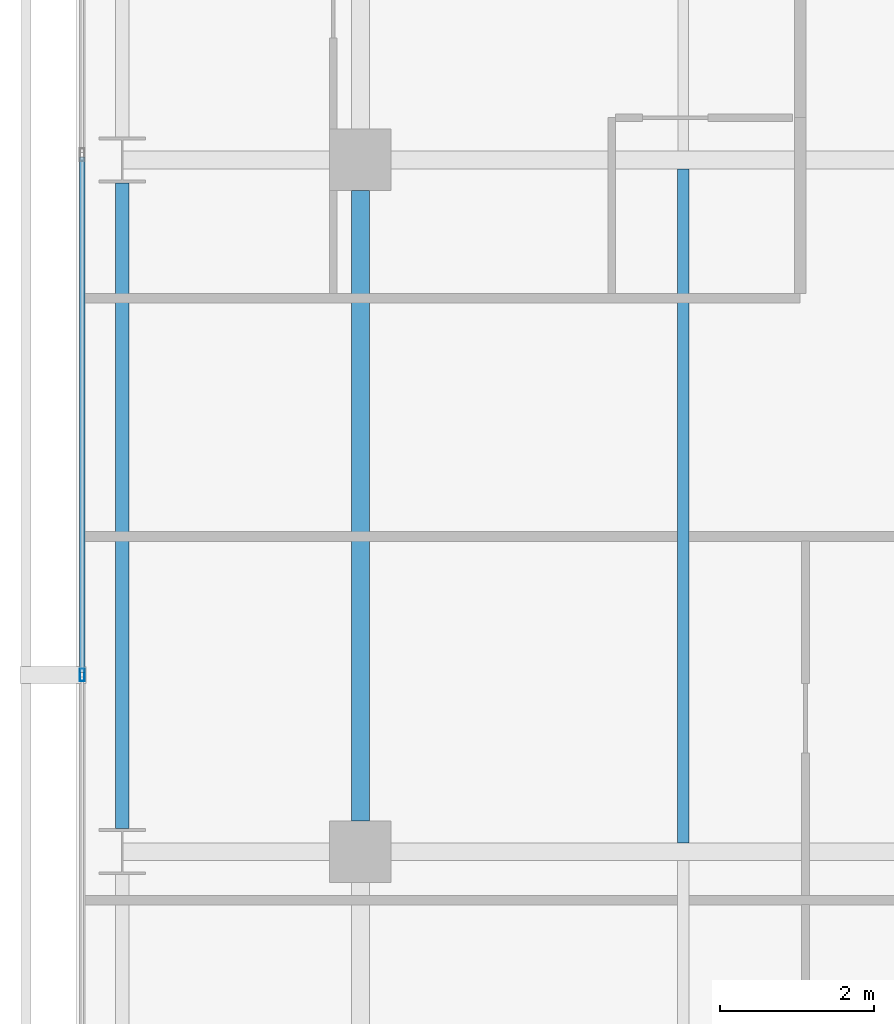
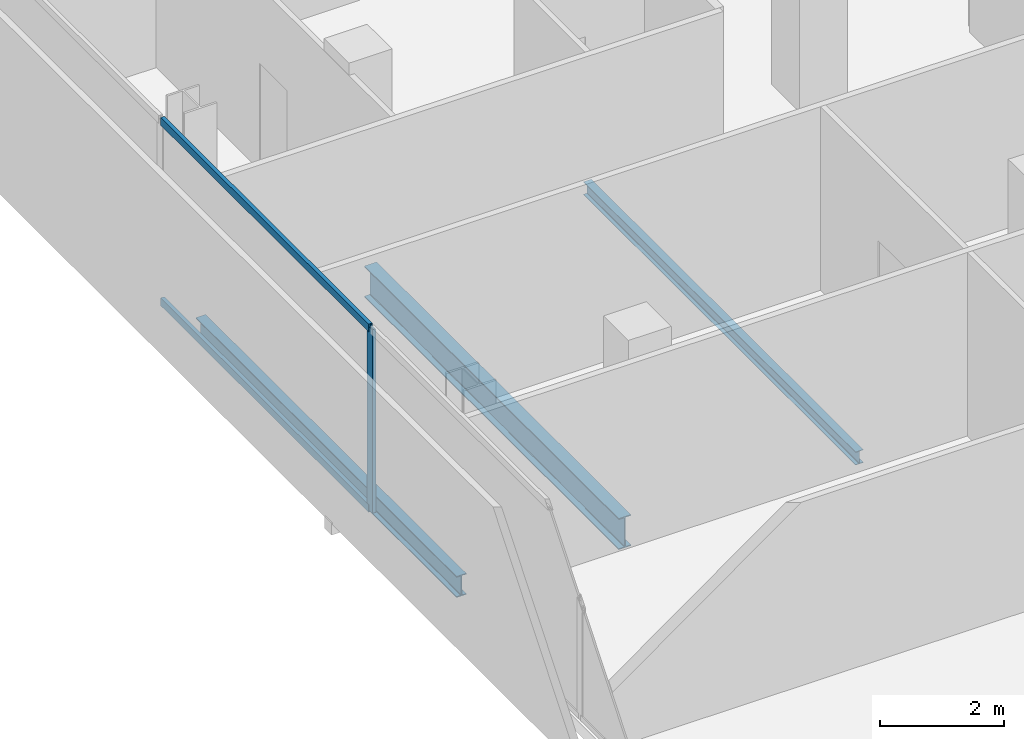
# One storey, part 10 of 33: 3 beams, 3 members, 1 element without a shape of its own.
"""IFC4 building model written with IfcOpenShell, lengths in metres."""

from ifc_helpers import new_model, si_unit, direction, frame, origin, origin_2d, place, context, subcontext, project, spatial, hollow_rectangle, i_section, extrude, material, layer, layer_set, material_profile, profile_set, type_object, element, aggregate, save


model = new_model("IFC4")

# Units and contexts
model_context = context("Model", 3, precision=1e-05, world=origin(), true_north=direction((0.0, 1.0)))
body_context = subcontext(model_context, "Body", "Model", "MODEL_VIEW")
ifc_project = project(units=[si_unit("LENGTHUNIT", "METRE"), si_unit("AREAUNIT", "SQUARE_METRE"), si_unit("VOLUMEUNIT", "CUBIC_METRE"), si_unit("PLANEANGLEUNIT", "RADIAN"), si_unit("MASSUNIT", "GRAM", prefix="KILO")], contexts=[model_context])

# Site, building, storey
site_placement = place(None, origin())
site = spatial("IfcSite", under=ifc_project, at=site_placement, CompositionType="ELEMENT")
building_placement = place(site_placement, origin())
building = spatial("IfcBuilding", under=site, at=building_placement, Name="Maruvema Waterfront Hotel and Observation Tower", CompositionType="ELEMENT")
storey_placement = place(building_placement, frame((0.0, 0.0, 142.800048828125)))
storey = spatial("IfcBuildingStorey", under=building, at=storey_placement, Name="L34", CompositionType="ELEMENT", Elevation=142.800048828125)

# Curtain wall, members
ifc_material_1 = material(Name="Anodised bronze aluminium and solar-control low-E IGU", Category="aluminium")
ifc_layer = layer(ifc_material_1, 0.159912109375, Name="Zone 2 Amber Inner Thermal Curtain Wall System CW-03")
ifc_layer_set = layer_set([ifc_layer], Name="Anodised bronze aluminium and solar-control low-E IGU")
curtain_wall_type = type_object("IfcCurtainWallType", Name="Zone 2 Amber Inner Thermal Curtain Wall System CW-03", PredefinedType="USERDEFINED", material=ifc_layer_set)
curtain_wall_placement = place(storey_placement, origin())
curtain_wall = element("IfcCurtainWall", 1, at=curtain_wall_placement, inside=storey, type_object=curtain_wall_type, Name="L34 Curtain Wall CW-L34-W", ObjectType="UNITISED CURTAIN WALL", PredefinedType="USERDEFINED")
ifc_material_2 = material(Name="Anodised architectural bronze aluminium", Category="aluminium")
ifc_material_profile_1 = material_profile(ifc_material_2, hollow_rectangle(XDim=0.070068359375, YDim=0.14990234375, WallThickness=0.00390625, at=origin_2d()), Name="ALU-T70x150")
ifc_profile_set_1 = profile_set([ifc_material_profile_1], Name="Anodised architectural bronze aluminium")
member_type_1 = type_object("IfcMemberType", Name="Curtain Wall Horizontal Transom ALU-T70x150", PredefinedType="USERDEFINED", material=ifc_profile_set_1)
member_1_placement = place(storey_placement, frame((13.179931640625, 36.03662109375, 0.030029296875), z_axis=(0.0, -1.0, 0.0), x_axis=(1.0, 0.0, 0.0)))
member_1 = element("IfcMember", 2, at=member_1_placement, type_object=member_type_1, Name="CW-03 transom 3.1", ObjectType="TRANSOM", PredefinedType="USERDEFINED", context=body_context, shape_type="SweptSolid", body=[
    extrude(hollow_rectangle(XDim=0.070068359375, YDim=0.14990234375, WallThickness=0.00390625, at=origin_2d()), origin(), (0.0, 0.0, 1.0), 6.70654296875),
])
member_2_placement = place(storey_placement, frame((13.179931640625, 36.03662109375, 3.579833984375), z_axis=(0.0, -1.0, 0.0), x_axis=(1.0, 0.0, 0.0)))
member_2 = element("IfcMember", 3, at=member_2_placement, type_object=member_type_1, Name="CW-03 transom 3.2", ObjectType="TRANSOM", PredefinedType="USERDEFINED", context=body_context, shape_type="SweptSolid", body=[
    extrude(hollow_rectangle(XDim=0.070068359375, YDim=0.14990234375, WallThickness=0.00390625, at=origin_2d()), origin(), (0.0, 0.0, 1.0), 6.70654296875),
])
ifc_material_3 = material(Name="Anodised architectural bronze aluminium", Category="aluminium")
ifc_material_profile_2 = material_profile(ifc_material_3, hollow_rectangle(XDim=0.06494140625, YDim=0.1650390625, WallThickness=0.00390625, at=origin_2d()), Name="ALU-M65x165")
ifc_profile_set_2 = profile_set([ifc_material_profile_2], Name="Anodised architectural bronze aluminium")
member_type_2 = type_object("IfcMemberType", Name="Curtain Wall Primary Mullion ALU-M65x165", PredefinedType="MULLION", material=ifc_profile_set_2)
member_3_placement = place(storey_placement, frame((13.179931640625, 29.300048828125, 0.0), z_axis=(0.0, 0.0, 1.0), x_axis=(1.0, 0.0, 0.0)))
member_3 = element("IfcMember", 4, at=member_3_placement, type_object=member_type_2, Name="CW-03 mullion 4", PredefinedType="MULLION", context=body_context, shape_type="SweptSolid", body=[
    extrude(hollow_rectangle(XDim=0.06494140625, YDim=0.1650390625, WallThickness=0.00390625, at=origin_2d()), origin(), (0.0, 0.0, 1.0), 3.60986328125),
])
aggregate(curtain_wall, [member_3, member_1, member_2])

# Beams
ifc_material_4 = material(Name="Steel ASTM A572 Grade 50", Category="steel")
ifc_material_profile_3 = material_profile(ifc_material_4, i_section(OverallWidth=0.180908203125, OverallDepth=0.4169921875, WebThickness=0.010986328125, FlangeThickness=0.018310546875, FilletRadius=0.014892578125, at=origin_2d()), Name="W410x85.0")
ifc_profile_set_3 = profile_set([ifc_material_profile_3], Name="Steel ASTM A572 Grade 50")
beam_type_1 = type_object("IfcBeamType", Name="Perimeter Spandrel Beam W410x85.0", PredefinedType="SPANDREL", material=ifc_profile_set_3)
beam_1_placement = place(storey_placement, frame((13.699951171875, 27.300048828125, -0.448486328125), z_axis=(0.0, 1.0, 0.0), x_axis=(-1.0, 0.0, 0.0)))
element("IfcBeam", 5, at=beam_1_placement, inside=storey, type_object=beam_type_1, Name="L34 Floor Girder NS-03", PredefinedType="SPANDREL", context=body_context, shape_type="SweptSolid", body=[
    extrude(i_section(OverallWidth=0.180908203125, OverallDepth=0.4169921875, WebThickness=0.010986328125, FlangeThickness=0.018310546875, FilletRadius=0.014892578125, at=origin_2d()), origin(), (0.0, 0.0, 1.0), 8.39990234375),
])
ifc_material_5 = material(Name="Steel ASTM A572 Grade 50", Category="steel")
ifc_material_profile_4 = material_profile(ifc_material_5, i_section(OverallWidth=0.22900390625, OverallDepth=0.612060546875, WebThickness=0.011962890625, FlangeThickness=0.01953125, FilletRadius=0.01806640625, at=origin_2d()), Name="W610x125.0")
ifc_profile_set_4 = profile_set([ifc_material_profile_4], Name="Steel ASTM A572 Grade 50")
beam_type_2 = type_object("IfcBeamType", Name="Primary Floor Girder W610x125.0", PredefinedType="BEAM", material=ifc_profile_set_4)
beam_2_placement = place(storey_placement, frame((16.800048828125, 27.39990234375, -0.546142578125), z_axis=(0.0, 1.0, 0.0), x_axis=(-1.0, 0.0, 0.0)))
element("IfcBeam", 6, at=beam_2_placement, inside=storey, type_object=beam_type_2, Name="L34 Floor Girder NS-07", PredefinedType="BEAM", context=body_context, shape_type="SweptSolid", body=[
    extrude(i_section(OverallWidth=0.22900390625, OverallDepth=0.612060546875, WebThickness=0.011962890625, FlangeThickness=0.01953125, FilletRadius=0.01806640625, at=origin_2d()), origin(), (0.0, 0.0, 1.0), 8.2001953125),
])
ifc_material_6 = material(Name="Steel ASTM A572 Grade 50", Category="steel")
ifc_material_profile_5 = material_profile(ifc_material_6, i_section(OverallWidth=0.14599609375, OverallDepth=0.258056640625, WebThickness=0.006103515625, FlangeThickness=0.009033203125, FilletRadius=0.012939453125, at=origin_2d()), Name="W250x32.7")
ifc_profile_set_5 = profile_set([ifc_material_profile_5], Name="Steel ASTM A572 Grade 50")
beam_type_3 = type_object("IfcBeamType", Name="Secondary Floor Joist W250x32.7", PredefinedType="JOIST", material=ifc_profile_set_5)
beam_3_placement = place(storey_placement, frame((21.0, 27.114501953125, -0.369140625), z_axis=(0.0, 1.0, 0.0), x_axis=(-1.0, 0.0, 0.0)))
element("IfcBeam", 7, at=beam_3_placement, inside=storey, type_object=beam_type_3, Name="L34 Secondary Floor Joist JS-03", PredefinedType="JOIST", context=body_context, shape_type="SweptSolid", body=[
    extrude(i_section(OverallWidth=0.14599609375, OverallDepth=0.258056640625, WebThickness=0.006103515625, FlangeThickness=0.009033203125, FilletRadius=0.012939453125, at=origin_2d()), origin(), (0.0, 0.0, 1.0), 8.77099609375),
])

save(model, "model.ifc")
